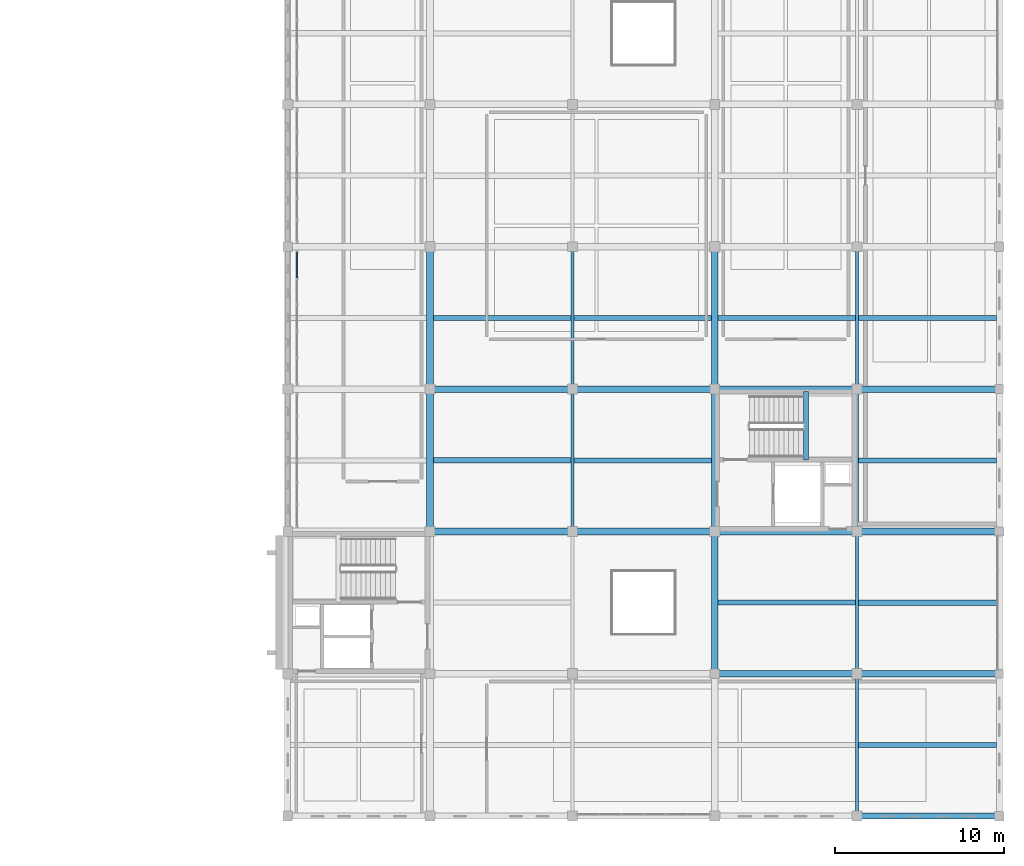
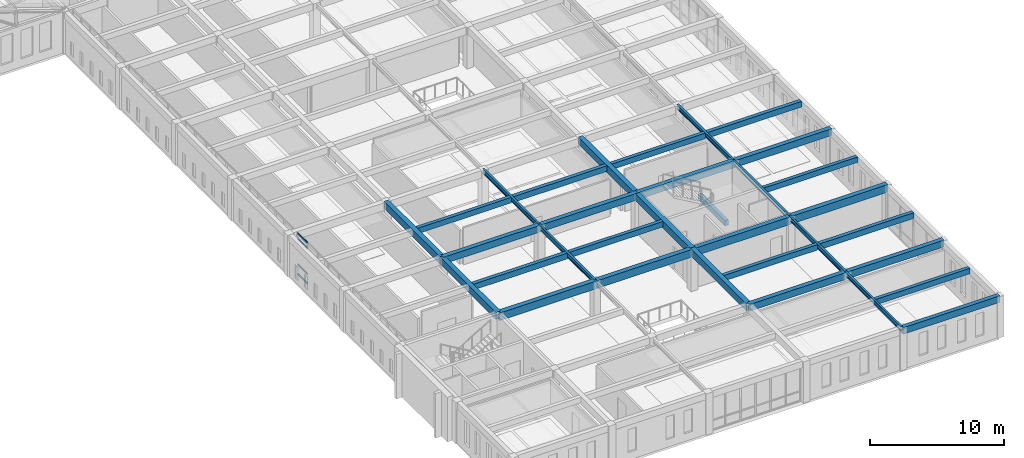
# One storey, part 4 of 56: 33 beams, 4 members, 1 element without a shape of its own.
"""IFC4 building model written with IfcOpenShell, lengths in metres."""

from ifc_helpers import new_model, si_unit, direction, frame, origin, origin_2d, place, context, subcontext, project, spatial, rectangle, i_section, extrude, material, layer, layer_set, material_profile, profile_set, type_object, element, aggregate, save


model = new_model("IFC4")

# Units and contexts
model_context = context("Model", 3, precision=1e-05, world=origin(), true_north=direction((0.0, 1.0)))
body_context = subcontext(model_context, "Body", "Model", "MODEL_VIEW")
ifc_project = project(units=[si_unit("LENGTHUNIT", "METRE"), si_unit("AREAUNIT", "SQUARE_METRE"), si_unit("VOLUMEUNIT", "CUBIC_METRE"), si_unit("PLANEANGLEUNIT", "RADIAN"), si_unit("MASSUNIT", "GRAM", prefix="KILO")], contexts=[model_context])

# Site, building, storey
site_placement = place(None, origin())
site = spatial("IfcSite", under=ifc_project, at=site_placement, CompositionType="ELEMENT")
building_placement = place(site_placement, origin())
building = spatial("IfcBuilding", under=site, at=building_placement, Name="Kveldsbrygga Polytechnic", CompositionType="ELEMENT")
storey_placement = place(building_placement, frame((0.0, 0.0, 18.02001953125)))
storey = spatial("IfcBuildingStorey", under=building, at=storey_placement, Name="L04", CompositionType="ELEMENT", Elevation=18.02001953125)

# Beams
ifc_material_1 = material(Name="Concrete C35/45", Category="concrete")
ifc_material_profile_1 = material_profile(ifc_material_1, rectangle(XDim=0.3798828125, YDim=0.6201171875, at=origin_2d()), Name="RC 380x620")
ifc_profile_set_1 = profile_set([ifc_material_profile_1], Name="Concrete C35/45")
beam_type_1 = type_object("IfcBeamType", Name="BM-RC-380x620", PredefinedType="BEAM", material=ifc_profile_set_1)
beam_1_placement = place(storey_placement, frame((151.199951171875, 25.199951171875, 3.469970703125), z_axis=(1.0, 0.0, 0.0), x_axis=(0.0, 1.0, 0.0)))
element("IfcBeam", 1, at=beam_1_placement, inside=storey, type_object=beam_type_1, Name="Primary Beam BMX-L04-18to19-03", PredefinedType="BEAM", context=body_context, shape_type="SweptSolid", body=[
    extrude(rectangle(XDim=0.3798828125, YDim=0.6201171875, at=origin_2d()), origin(), (0.0, 0.0, 1.0), 8.400146484375),
])
beam_2_placement = place(storey_placement, frame((159.60009765625, 25.199951171875, 3.469970703125), z_axis=(1.0, 0.0, 0.0), x_axis=(0.0, 1.0, 0.0)))
element("IfcBeam", 2, at=beam_2_placement, inside=storey, type_object=beam_type_1, Name="Primary Beam BMX-L04-19to20-03", PredefinedType="BEAM", context=body_context, shape_type="SweptSolid", body=[
    extrude(rectangle(XDim=0.3798828125, YDim=0.6201171875, at=origin_2d()), origin(), (0.0, 0.0, 1.0), 8.39990234375),
])
beam_3_placement = place(storey_placement, frame((134.39990234375, 42.0, 3.469970703125), z_axis=(1.0, 0.0, 0.0), x_axis=(0.0, 1.0, 0.0)))
element("IfcBeam", 3, at=beam_3_placement, inside=storey, type_object=beam_type_1, Name="Primary Beam BMX-L04-16to17-05", PredefinedType="BEAM", context=body_context, shape_type="SweptSolid", body=[
    extrude(rectangle(XDim=0.3798828125, YDim=0.6201171875, at=origin_2d()), origin(), (0.0, 0.0, 1.0), 8.400146484375),
])
beam_4_placement = place(storey_placement, frame((142.800048828125, 42.0, 3.469970703125), z_axis=(1.0, 0.0, 0.0), x_axis=(0.0, 1.0, 0.0)))
element("IfcBeam", 4, at=beam_4_placement, inside=storey, type_object=beam_type_1, Name="Primary Beam BMX-L04-17to18-05", PredefinedType="BEAM", context=body_context, shape_type="SweptSolid", body=[
    extrude(rectangle(XDim=0.3798828125, YDim=0.6201171875, at=origin_2d()), origin(), (0.0, 0.0, 1.0), 8.39990234375),
])
beam_5_placement = place(storey_placement, frame((151.199951171875, 42.0, 3.469970703125), z_axis=(1.0, 0.0, 0.0), x_axis=(0.0, 1.0, 0.0)))
element("IfcBeam", 5, at=beam_5_placement, inside=storey, type_object=beam_type_1, Name="Primary Beam BMX-L04-18to19-05", PredefinedType="BEAM", context=body_context, shape_type="SweptSolid", body=[
    extrude(rectangle(XDim=0.3798828125, YDim=0.6201171875, at=origin_2d()), origin(), (0.0, 0.0, 1.0), 8.400146484375),
])
beam_6_placement = place(storey_placement, frame((159.60009765625, 42.0, 3.469970703125), z_axis=(1.0, 0.0, 0.0), x_axis=(0.0, 1.0, 0.0)))
element("IfcBeam", 6, at=beam_6_placement, inside=storey, type_object=beam_type_1, Name="Primary Beam BMX-L04-19to20-05", PredefinedType="BEAM", context=body_context, shape_type="SweptSolid", body=[
    extrude(rectangle(XDim=0.3798828125, YDim=0.6201171875, at=origin_2d()), origin(), (0.0, 0.0, 1.0), 8.39990234375),
])
ifc_material_profile_2 = material_profile(ifc_material_1, rectangle(XDim=0.39990234375, YDim=0.64990234375, at=origin_2d()), Name="RC 400x650")
ifc_profile_set_2 = profile_set([ifc_material_profile_2], Name="Concrete C35/45")
beam_type_2 = type_object("IfcBeamType", Name="BM-RC-400x650", PredefinedType="BEAM", material=ifc_profile_set_2)
for number, where, z_axis, x_axis, name in (
    (7, (134.39990234375, 33.60009765625, 3.455078125), (0.0, 1.0, 0.0), (-1.0, 0.0, 0.0), "Primary Beam BMY-L04-16-04to05"),
    (8, (134.39990234375, 42.0, 3.455078125), (0.0, 1.0, 0.0), (-1.0, 0.0, 0.0), "Primary Beam BMY-L04-16-05to06"),
):
    element("IfcBeam", number, at=place(storey_placement, frame(where, z_axis=z_axis, x_axis=x_axis)), inside=storey, type_object=beam_type_2, Name=name, PredefinedType="BEAM", context=body_context, shape_type="SweptSolid", body=[
        extrude(rectangle(XDim=0.39990234375, YDim=0.64990234375, at=origin_2d()), origin(), (0.0, 0.0, 1.0), 8.39990234375),
    ])
beam_7_placement = place(storey_placement, frame((151.199951171875, 25.199951171875, 3.455078125), z_axis=(0.0, 1.0, 0.0), x_axis=(-1.0, 0.0, 0.0)))
element("IfcBeam", 9, at=beam_7_placement, inside=storey, type_object=beam_type_2, Name="Primary Beam BMY-L04-18-03to04", PredefinedType="BEAM", context=body_context, shape_type="SweptSolid", body=[
    extrude(rectangle(XDim=0.39990234375, YDim=0.64990234375, at=origin_2d()), origin(), (0.0, 0.0, 1.0), 8.400146484375),
])
for number, where, z_axis, x_axis, name in (
    (10, (151.199951171875, 33.60009765625, 3.455078125), (0.0, 1.0, 0.0), (-1.0, 0.0, 0.0), "Primary Beam BMY-L04-18-04to05"),
    (11, (151.199951171875, 42.0, 3.455078125), (0.0, 1.0, 0.0), (-1.0, 0.0, 0.0), "Primary Beam BMY-L04-18-05to06"),
):
    element("IfcBeam", number, at=place(storey_placement, frame(where, z_axis=z_axis, x_axis=x_axis)), inside=storey, type_object=beam_type_2, Name=name, PredefinedType="BEAM", context=body_context, shape_type="SweptSolid", body=[
        extrude(rectangle(XDim=0.39990234375, YDim=0.64990234375, at=origin_2d()), origin(), (0.0, 0.0, 1.0), 8.39990234375),
    ])
ifc_material_profile_3 = material_profile(ifc_material_1, rectangle(XDim=0.39990234375, YDim=0.699951171875, at=origin_2d()), Name="RC 400x700")
ifc_profile_set_3 = profile_set([ifc_material_profile_3], Name="Concrete C35/45")
beam_type_3 = type_object("IfcBeamType", Name="BM-RC-400x700", PredefinedType="BEAM", material=ifc_profile_set_3)
beam_8_placement = place(storey_placement, frame((134.39990234375, 33.60009765625, 3.429931640625), z_axis=(1.0, 0.0, 0.0), x_axis=(0.0, 1.0, 0.0)))
element("IfcBeam", 12, at=beam_8_placement, inside=storey, type_object=beam_type_3, Name="Primary Beam BMX-L04-16to17-04", PredefinedType="BEAM", context=body_context, shape_type="SweptSolid", body=[
    extrude(rectangle(XDim=0.39990234375, YDim=0.699951171875, at=origin_2d()), origin(), (0.0, 0.0, 1.0), 8.400146484375),
])
beam_9_placement = place(storey_placement, frame((142.800048828125, 33.60009765625, 3.429931640625), z_axis=(1.0, 0.0, 0.0), x_axis=(0.0, 1.0, 0.0)))
element("IfcBeam", 13, at=beam_9_placement, inside=storey, type_object=beam_type_3, Name="Primary Beam BMX-L04-17to18-04", PredefinedType="BEAM", context=body_context, shape_type="SweptSolid", body=[
    extrude(rectangle(XDim=0.39990234375, YDim=0.699951171875, at=origin_2d()), origin(), (0.0, 0.0, 1.0), 8.39990234375),
])
beam_10_placement = place(storey_placement, frame((151.199951171875, 33.60009765625, 3.429931640625), z_axis=(1.0, 0.0, 0.0), x_axis=(0.0, 1.0, 0.0)))
element("IfcBeam", 14, at=beam_10_placement, inside=storey, type_object=beam_type_3, Name="Primary Beam BMX-L04-18to19-04", PredefinedType="BEAM", context=body_context, shape_type="SweptSolid", body=[
    extrude(rectangle(XDim=0.39990234375, YDim=0.699951171875, at=origin_2d()), origin(), (0.0, 0.0, 1.0), 8.400146484375),
])
beam_11_placement = place(storey_placement, frame((159.60009765625, 33.60009765625, 3.429931640625), z_axis=(1.0, 0.0, 0.0), x_axis=(0.0, 1.0, 0.0)))
element("IfcBeam", 15, at=beam_11_placement, inside=storey, type_object=beam_type_3, Name="Primary Beam BMX-L04-19to20-04", PredefinedType="BEAM", context=body_context, shape_type="SweptSolid", body=[
    extrude(rectangle(XDim=0.39990234375, YDim=0.699951171875, at=origin_2d()), origin(), (0.0, 0.0, 1.0), 8.39990234375),
])
ifc_material_profile_4 = material_profile(ifc_material_1, rectangle(XDim=0.35009765625, YDim=0.60009765625, at=origin_2d()), Name="RC 350x600")
ifc_profile_set_4 = profile_set([ifc_material_profile_4], Name="Concrete C35/45")
beam_type_4 = type_object("IfcBeamType", Name="BM-SPANDREL-600", PredefinedType="T_BEAM", material=ifc_profile_set_4)
beam_12_placement = place(storey_placement, frame((159.60009765625, 16.800048828125, 3.47998046875), z_axis=(1.0, 0.0, 0.0), x_axis=(0.0, 1.0, 0.0)))
element("IfcBeam", 16, at=beam_12_placement, inside=storey, type_object=beam_type_4, Name="Primary Beam BMX-L04-19to20-02", PredefinedType="T_BEAM", context=body_context, shape_type="SweptSolid", body=[
    extrude(rectangle(XDim=0.35009765625, YDim=0.60009765625, at=origin_2d()), origin(), (0.0, 0.0, 1.0), 8.39990234375),
])
ifc_material_2 = material(Name="Steel S355", Category="steel")
ifc_material_profile_5 = material_profile(ifc_material_2, i_section(OverallWidth=0.179931640625, OverallDepth=0.39990234375, WebThickness=0.008544921875, FlangeThickness=0.013427734375, FilletRadius=0.02099609375, at=origin_2d()), Name="IPE 400")
ifc_profile_set_5 = profile_set([ifc_material_profile_5], Name="Steel S355")
beam_type_5 = type_object("IfcBeamType", Name="BM-STL-IPE400", PredefinedType="BEAM", material=ifc_profile_set_5)
for number, where, z_axis, x_axis, name in (
    (17, (142.800048828125, 33.60009765625, 3.580078125), (0.0, 1.0, 0.0), (-1.0, 0.0, 0.0), "Primary Beam BMY-L04-17-04to05"),
    (18, (142.800048828125, 42.0, 3.580078125), (0.0, 1.0, 0.0), (-1.0, 0.0, 0.0), "Primary Beam BMY-L04-17-05to06"),
    (19, (159.60009765625, 16.800048828125, 3.580078125), (0.0, 1.0, 0.0), (-1.0, 0.0, 0.0), "Primary Beam BMY-L04-19-02to03"),
):
    element("IfcBeam", number, at=place(storey_placement, frame(where, z_axis=z_axis, x_axis=x_axis)), inside=storey, type_object=beam_type_5, Name=name, PredefinedType="BEAM", context=body_context, shape_type="SweptSolid", body=[
        extrude(i_section(OverallWidth=0.179931640625, OverallDepth=0.39990234375, WebThickness=0.008544921875, FlangeThickness=0.013427734375, FilletRadius=0.02099609375, at=origin_2d()), origin(), (0.0, 0.0, 1.0), 8.39990234375),
    ])
beam_13_placement = place(storey_placement, frame((159.60009765625, 25.199951171875, 3.580078125), z_axis=(0.0, 1.0, 0.0), x_axis=(-1.0, 0.0, 0.0)))
element("IfcBeam", 20, at=beam_13_placement, inside=storey, type_object=beam_type_5, Name="Primary Beam BMY-L04-19-03to04", PredefinedType="BEAM", context=body_context, shape_type="SweptSolid", body=[
    extrude(i_section(OverallWidth=0.179931640625, OverallDepth=0.39990234375, WebThickness=0.008544921875, FlangeThickness=0.013427734375, FilletRadius=0.02099609375, at=origin_2d()), origin(), (0.0, 0.0, 1.0), 8.400146484375),
])
for number, where, z_axis, x_axis, name in (
    (21, (159.60009765625, 33.60009765625, 3.580078125), (0.0, 1.0, 0.0), (-1.0, 0.0, 0.0), "Primary Beam BMY-L04-19-04to05"),
    (22, (159.60009765625, 42.0, 3.580078125), (0.0, 1.0, 0.0), (-1.0, 0.0, 0.0), "Primary Beam BMY-L04-19-05to06"),
):
    element("IfcBeam", number, at=place(storey_placement, frame(where, z_axis=z_axis, x_axis=x_axis)), inside=storey, type_object=beam_type_5, Name=name, PredefinedType="BEAM", context=body_context, shape_type="SweptSolid", body=[
        extrude(i_section(OverallWidth=0.179931640625, OverallDepth=0.39990234375, WebThickness=0.008544921875, FlangeThickness=0.013427734375, FilletRadius=0.02099609375, at=origin_2d()), origin(), (0.0, 0.0, 1.0), 8.39990234375),
    ])

# Curtain wall, members
ifc_material_3 = material(Name="Anodised aluminium AW-6060", Category="aluminium")
ifc_layer = layer(ifc_material_3, 0.199951171875)
ifc_layer_set = layer_set([ifc_layer], Name="Anodised aluminium AW-6060")
curtain_wall_type = type_object("IfcCurtainWallType", Name="CW-CONC-B", PredefinedType="USERDEFINED", material=ifc_layer_set)
curtain_wall_placement = place(storey_placement, origin())
curtain_wall = element("IfcCurtainWall", 23, at=curtain_wall_placement, inside=storey, type_object=curtain_wall_type, Name="Curtain Wall CW-L04-Y-15-05", ObjectType="UNITISED CURTAIN WALL", PredefinedType="USERDEFINED")
ifc_material_profile_6 = material_profile(ifc_material_3, rectangle(XDim=0.06005859375, YDim=0.14990234375, at=origin_2d()), Name="ALU 60x150")
ifc_profile_set_6 = profile_set([ifc_material_profile_6], Name="Anodised aluminium AW-6060")
member_type = type_object("IfcMemberType", Name="CW-TRN-150", PredefinedType="USERDEFINED", material=ifc_profile_set_6)
member_1_placement = place(storey_placement, frame((126.550048828125, 48.5869140625, 0.030029296875), z_axis=(0.0, 1.0, 0.0), x_axis=(-1.0, 0.0, 0.0)))
member_1 = element("IfcMember", 24, at=member_1_placement, type_object=member_type, Name="CW-02 transom 5.1", ObjectType="TRANSOM", PredefinedType="USERDEFINED", context=body_context, shape_type="SweptSolid", body=[
    extrude(rectangle(XDim=0.06005859375, YDim=0.14990234375, at=origin_2d()), origin(), (0.0, 0.0, 1.0), 1.47802734375),
])
member_2_placement = place(storey_placement, frame((126.550048828125, 48.5869140625, 0.89990234375), z_axis=(0.0, 1.0, 0.0), x_axis=(-1.0, 0.0, 0.0)))
member_2 = element("IfcMember", 25, at=member_2_placement, type_object=member_type, Name="CW-02 transom 5.2", ObjectType="TRANSOM", PredefinedType="USERDEFINED", context=body_context, shape_type="SweptSolid", body=[
    extrude(rectangle(XDim=0.06005859375, YDim=0.14990234375, at=origin_2d()), origin(), (0.0, 0.0, 1.0), 1.47802734375),
])
member_3_placement = place(storey_placement, frame((126.550048828125, 48.5869140625, 3.22998046875), z_axis=(0.0, 1.0, 0.0), x_axis=(-1.0, 0.0, 0.0)))
member_3 = element("IfcMember", 26, at=member_3_placement, type_object=member_type, Name="CW-02 transom 5.3", ObjectType="TRANSOM", PredefinedType="USERDEFINED", context=body_context, shape_type="SweptSolid", body=[
    extrude(rectangle(XDim=0.06005859375, YDim=0.14990234375, at=origin_2d()), origin(), (0.0, 0.0, 1.0), 1.47802734375),
])
member_4_placement = place(storey_placement, frame((126.550048828125, 48.5869140625, 3.75), z_axis=(0.0, 1.0, 0.0), x_axis=(-1.0, 0.0, 0.0)))
member_4 = element("IfcMember", 27, at=member_4_placement, type_object=member_type, Name="CW-02 transom 5.4", ObjectType="TRANSOM", PredefinedType="USERDEFINED", context=body_context, shape_type="SweptSolid", body=[
    extrude(rectangle(XDim=0.06005859375, YDim=0.14990234375, at=origin_2d()), origin(), (0.0, 0.0, 1.0), 1.47802734375),
])
aggregate(curtain_wall, [member_1, member_2, member_3, member_4])

# Beams
ifc_material_profile_7 = material_profile(ifc_material_1, rectangle(XDim=0.300048828125, YDim=0.5, at=origin_2d()), Name="RC 300x500")
ifc_profile_set_7 = profile_set([ifc_material_profile_7], Name="Concrete C35/45")
beam_type_6 = type_object("IfcBeamType", Name="JST-RC-300x500", PredefinedType="JOIST", material=ifc_profile_set_7)
beam_14_placement = place(storey_placement, frame((134.60009765625, 46.199951171875, 3.530029296875), z_axis=(1.0, 0.0, 0.0), x_axis=(0.0, 1.0, 0.0)))
element("IfcBeam", 28, at=beam_14_placement, inside=storey, type_object=beam_type_6, Name="Secondary Joist JST-L04-16-05", PredefinedType="JOIST", context=body_context, shape_type="SweptSolid", body=[
    extrude(rectangle(XDim=0.300048828125, YDim=0.5, at=origin_2d()), origin(), (0.0, 0.0, 1.0), 8.10986328125),
])
for number, where, z_axis, x_axis, name in (
    (29, (142.889892578125, 37.800048828125, 3.530029296875), (1.0, 0.0, 0.0), (0.0, 1.0, 0.0), "Secondary Joist JST-L04-17-04"),
    (30, (151.39990234375, 29.39990234375, 3.530029296875), (1.0, 0.0, 0.0), (0.0, 1.0, 0.0), "Secondary Joist JST-L04-18-03"),
    (31, (151.39990234375, 46.199951171875, 3.530029296875), (1.0, 0.0, 0.0), (0.0, 1.0, 0.0), "Secondary Joist JST-L04-18-05"),
):
    element("IfcBeam", number, at=place(storey_placement, frame(where, z_axis=z_axis, x_axis=x_axis)), inside=storey, type_object=beam_type_6, Name=name, PredefinedType="JOIST", context=body_context, shape_type="SweptSolid", body=[
        extrude(rectangle(XDim=0.300048828125, YDim=0.5, at=origin_2d()), origin(), (0.0, 0.0, 1.0), 8.110107421875),
    ])
for number, where, z_axis, x_axis, name in (
    (32, (159.68994140625, 21.0, 3.530029296875), (1.0, 0.0, 0.0), (0.0, 1.0, 0.0), "Secondary Joist JST-L04-19-02"),
    (33, (159.68994140625, 37.800048828125, 3.530029296875), (1.0, 0.0, 0.0), (0.0, 1.0, 0.0), "Secondary Joist JST-L04-19-04"),
):
    element("IfcBeam", number, at=place(storey_placement, frame(where, z_axis=z_axis, x_axis=x_axis)), inside=storey, type_object=beam_type_6, Name=name, PredefinedType="JOIST", context=body_context, shape_type="SweptSolid", body=[
        extrude(rectangle(XDim=0.300048828125, YDim=0.5, at=origin_2d()), origin(), (0.0, 0.0, 1.0), 8.135009765625),
    ])
ifc_material_profile_8 = material_profile(ifc_material_1, rectangle(XDim=0.320068359375, YDim=0.52001953125, at=origin_2d()), Name="RC 320x520")
ifc_profile_set_8 = profile_set([ifc_material_profile_8], Name="Concrete C35/45")
beam_type_7 = type_object("IfcBeamType", Name="JST-RC-320x520", PredefinedType="JOIST", material=ifc_profile_set_8)
beam_15_placement = place(storey_placement, frame((134.60009765625, 37.800048828125, 3.52001953125), z_axis=(1.0, 0.0, 0.0), x_axis=(0.0, 1.0, 0.0)))
element("IfcBeam", 34, at=beam_15_placement, inside=storey, type_object=beam_type_7, Name="Secondary Joist JST-L04-16-04", PredefinedType="JOIST", context=body_context, shape_type="SweptSolid", body=[
    extrude(rectangle(XDim=0.320068359375, YDim=0.52001953125, at=origin_2d()), origin(), (0.0, 0.0, 1.0), 8.10986328125),
])
beam_16_placement = place(storey_placement, frame((142.889892578125, 46.199951171875, 3.52001953125), z_axis=(1.0, 0.0, 0.0), x_axis=(0.0, 1.0, 0.0)))
element("IfcBeam", 35, at=beam_16_placement, inside=storey, type_object=beam_type_7, Name="Secondary Joist JST-L04-17-05", PredefinedType="JOIST", context=body_context, shape_type="SweptSolid", body=[
    extrude(rectangle(XDim=0.320068359375, YDim=0.52001953125, at=origin_2d()), origin(), (0.0, 0.0, 1.0), 8.110107421875),
])
for number, where, z_axis, x_axis, name in (
    (36, (159.68994140625, 29.39990234375, 3.52001953125), (1.0, 0.0, 0.0), (0.0, 1.0, 0.0), "Secondary Joist JST-L04-19-03"),
    (37, (159.68994140625, 46.199951171875, 3.52001953125), (1.0, 0.0, 0.0), (0.0, 1.0, 0.0), "Secondary Joist JST-L04-19-05"),
):
    element("IfcBeam", number, at=place(storey_placement, frame(where, z_axis=z_axis, x_axis=x_axis)), inside=storey, type_object=beam_type_7, Name=name, PredefinedType="JOIST", context=body_context, shape_type="SweptSolid", body=[
        extrude(rectangle(XDim=0.320068359375, YDim=0.52001953125, at=origin_2d()), origin(), (0.0, 0.0, 1.0), 8.135009765625),
    ])
ifc_material_profile_9 = material_profile(ifc_material_1, rectangle(XDim=0.300048828125, YDim=0.5, at=origin_2d()), Name="RC 300x500")
ifc_profile_set_9 = profile_set([ifc_material_profile_9], Name="Concrete C35/45")
beam_type_8 = type_object("IfcBeamType", Name="LNT-RC-300x500", PredefinedType="LINTEL", material=ifc_profile_set_9)
beam_17_placement = place(storey_placement, frame((156.590087890625, 37.830078125, 1.590087890625), z_axis=(0.0, 1.0, 0.0), x_axis=(-1.0, 0.0, 0.0)))
element("IfcBeam", 38, at=beam_17_placement, inside=storey, type_object=beam_type_8, Name="Stair Landing Support Beam C3-L04-LNDB-1-1", PredefinedType="LINTEL", context=body_context, shape_type="SweptSolid", body=[
    extrude(rectangle(XDim=0.300048828125, YDim=0.5, at=origin_2d()), origin(), (0.0, 0.0, 1.0), 4.02001953125),
])

save(model, "model.ifc")
